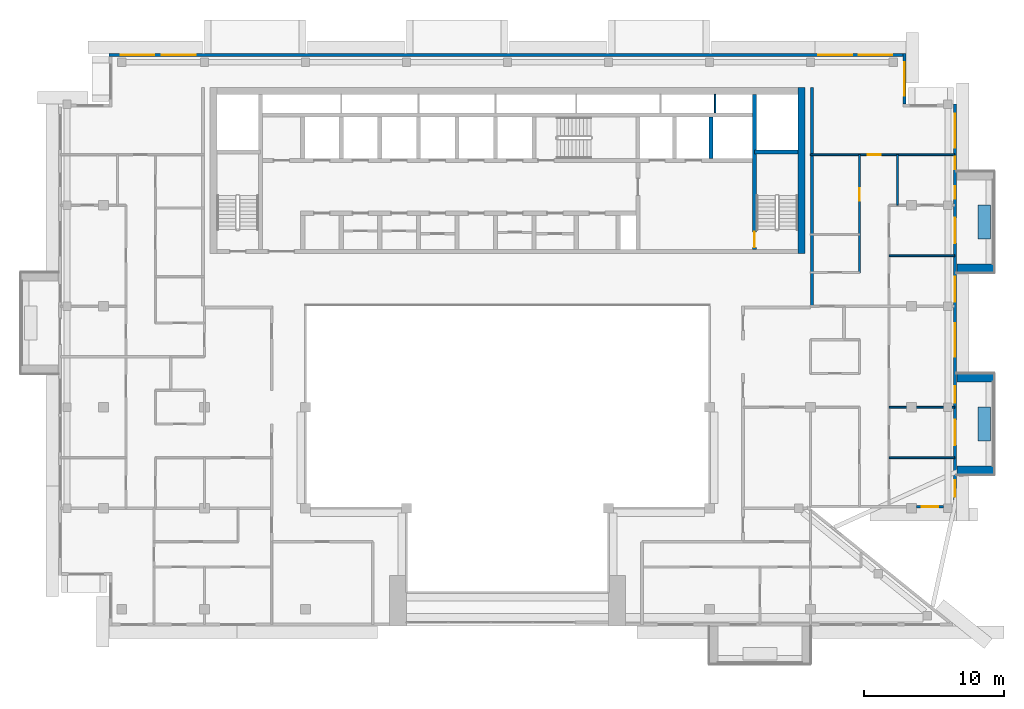
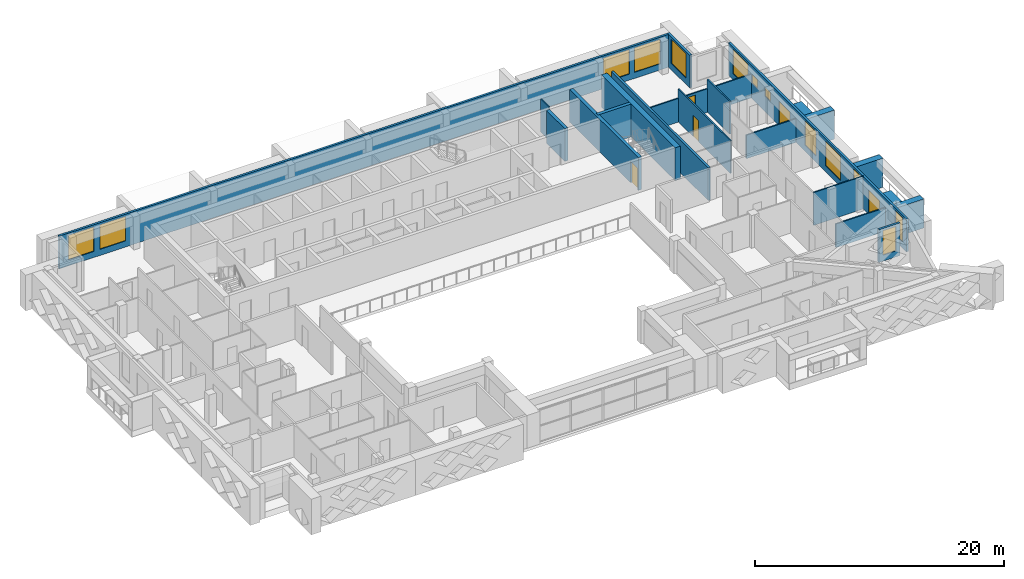
# One storey, part 11 of 19: 21 walls, 13 windows, 5 doors, 18 openings.
"""IFC4 building model written with IfcOpenShell, lengths in metres."""

from ifc_helpers import new_model, si_unit, direction, frame, frame_2d, origin, place, context, subcontext, project, spatial, rectangle, extrude, material, layer, layer_set, type_object, element, fill, save


model = new_model("IFC4")

# Units and contexts
model_context = context("Model", 3, precision=1e-05, world=origin(), true_north=direction((0.0, 1.0)))
body_context = subcontext(model_context, "Body", "Model", "MODEL_VIEW")
ifc_project = project(units=[si_unit("LENGTHUNIT", "METRE"), si_unit("AREAUNIT", "SQUARE_METRE"), si_unit("VOLUMEUNIT", "CUBIC_METRE"), si_unit("PLANEANGLEUNIT", "RADIAN"), si_unit("MASSUNIT", "GRAM", prefix="KILO")], contexts=[model_context])

# Site, building, storey
site_placement = place(None, origin())
site = spatial("IfcSite", under=ifc_project, at=site_placement, CompositionType="ELEMENT")
building_placement = place(site_placement, origin())
building = spatial("IfcBuilding", under=site, at=building_placement, Name="Saffron Iwan Residences", CompositionType="ELEMENT")
storey_placement = place(building_placement, frame((0.0, 0.0, 253.5)))
storey = spatial("IfcBuildingStorey", under=building, at=storey_placement, Name="L68", CompositionType="ELEMENT", Elevation=253.5)

# Walls
ifc_material_1 = material(Name="Concrete C50/60 white painted", Category="concrete")
ifc_layer_1 = layer(ifc_material_1, 0.60009765625)
ifc_layer_set_1 = layer_set([ifc_layer_1], Name="Concrete C50/60 white painted")
wall_type_1 = type_object("IfcWallType", Name="BALCONY FIN 600", PredefinedType="SOLIDWALL", material=ifc_layer_set_1)
for number, where, z_axis, x_axis, name in (
    (1, (82.449951171875, 50.699951171875, 0.0), (0.0, 0.0, 1.0), (1.0, 0.0, 0.0), "Balcony fin L68 F2-0a"),
    (2, (82.449951171875, 57.300048828125, 0.0), (0.0, 0.0, 1.0), (1.0, 0.0, 0.0), "Balcony fin L68 F2-0b"),
    (3, (82.449951171875, 65.10009765625, 0.0), (0.0, 0.0, 1.0), (1.0, 0.0, 0.0), "Balcony fin L68 F2-1a"),
):
    element("IfcWall", number, at=place(storey_placement, frame(where, z_axis=z_axis, x_axis=x_axis)), inside=storey, type_object=wall_type_1, Name=name, PredefinedType="SOLIDWALL", context=body_context, shape_type="SweptSolid", body=[
        extrude(rectangle(XDim=2.650146484375, YDim=0.60009765625, at=frame_2d((1.3251953125, 0.0))), origin(), (0.0, 0.0, 1.0), 2.85009765625),
    ])
ifc_material_2 = material(Name="Concrete C35/45 white painted", Category="concrete")
ifc_layer_2 = layer(ifc_material_2, 0.14990234375)
ifc_layer_set_2 = layer_set([ifc_layer_2], Name="Concrete C35/45 white painted")
wall_type_2 = type_object("IfcWallType", Name="BALCONY PLANTER", PredefinedType="SOLIDWALL", material=ifc_layer_set_2)
wall_1_placement = place(storey_placement, frame((84.375, 52.800048828125, 0.0), z_axis=(0.0, 0.0, 1.0), x_axis=(0.0, 1.0, 0.0)))
element("IfcWall", 4, at=wall_1_placement, inside=storey, type_object=wall_type_2, Name="PLANTER L68 F2-0", PredefinedType="SOLIDWALL", context=body_context, shape_type="SweptSolid", body=[
    extrude(rectangle(XDim=2.39990234375, YDim=0.89990234375, at=frame_2d((1.199951171875, 0.0))), origin(), (0.0, 0.0, 1.0), 0.89990234375),
])
wall_2_placement = place(storey_placement, frame((84.375, 67.199951171875, 0.0), z_axis=(0.0, 0.0, 1.0), x_axis=(0.0, 1.0, 0.0)))
element("IfcWall", 5, at=wall_2_placement, inside=storey, type_object=wall_type_2, Name="PLANTER L68 F2-1", PredefinedType="SOLIDWALL", context=body_context, shape_type="SweptSolid", body=[
    extrude(rectangle(XDim=2.400146484375, YDim=0.89990234375, at=frame_2d((1.2001953125, 0.0))), origin(), (0.0, 0.0, 1.0), 0.89990234375),
])

# Wall, opening, window
ifc_material_3 = material(Name="Concrete C40/50", Category="concrete")
ifc_layer_3 = layer(ifc_material_3, 0.199951171875)
ifc_layer_set_3 = layer_set([ifc_layer_3], Name="Concrete C40/50")
wall_type_3 = type_object("IfcWallType", Name="EXTERNAL WALL 200", PredefinedType="SOLIDWALL", material=ifc_layer_set_3)
wall_3_placement = place(storey_placement, frame((79.550048828125, 48.10009765625, 0.0), z_axis=(0.0, 0.0, 1.0), x_axis=(1.0, 0.0, 0.0)))
wall_3 = element("IfcWall", 6, at=wall_3_placement, inside=storey, type_object=wall_type_3, Name="External wall L68 F1.1", PredefinedType="SOLIDWALL", context=body_context, shape_type="SweptSolid", body=[
    extrude(rectangle(XDim=1.949951171875, YDim=0.199951171875, at=frame_2d((0.97509765625, 0.0))), origin(), (0.0, 0.0, 1.0), 3.219970703125),
])
opening_1_placement = place(wall_3_placement, frame((0.375, 0.0, 0.60009765625)))
opening_1 = element("IfcOpeningElement", 7, at=opening_1_placement, cuts=wall_3, Name="Opening W3", PredefinedType="OPENING", context=body_context, shape_type="SweptSolid", body=[
    extrude(rectangle(XDim=1.199951171875, YDim=2.39990234375, at=frame_2d((0.60009765625, 1.199951171875))), frame((0.0, 0.10986328125, 0.0), z_axis=(0.0, -1.0, 0.0), x_axis=(1.0, 0.0, 0.0)), (0.0, 0.0, 1.0), 0.219970703125),
])
ifc_material_4 = material(Name="Clear glass, laminated double glazed", Category="glass")
window_type_1 = type_object("IfcWindowType", Name="WINDOW 1200 x 2400", PartitioningType="SINGLE_PANEL", PredefinedType="WINDOW", material=ifc_material_4)
window_1_placement = place(opening_1_placement, origin())
window_1 = element("IfcWindow", 8, at=window_1_placement, inside=storey, type_object=window_type_1, Name="Window L68 F1.0", OverallHeight=2.39990234375, OverallWidth=1.199951171875, PartitioningType="SINGLE_PANEL", PredefinedType="WINDOW", context=body_context, shape_type="SweptSolid", body=[
    extrude(rectangle(XDim=1.199951171875, YDim=2.39990234375, at=frame_2d((0.60009765625, 1.199951171875))), frame((0.0, 0.030029296875, 0.0), z_axis=(0.0, -1.0, 0.0), x_axis=(1.0, 0.0, 0.0)), (0.0, 0.0, 1.0), 0.06005859375),
])
fill(opening_1, window_1)

# Wall, openings, doors, windows
wall_4_placement = place(storey_placement, frame((82.300048828125, 48.199951171875, 0.0), z_axis=(0.0, 0.0, 1.0), x_axis=(0.0, 1.0, 0.0)))
wall_4 = element("IfcWall", 9, at=wall_4_placement, inside=storey, type_object=wall_type_3, Name="External wall L68 F2.0", PredefinedType="SOLIDWALL", context=body_context, shape_type="SweptSolid", body=[
    extrude(rectangle(XDim=28.60009765625, YDim=0.199951171875, at=frame_2d((14.300048828125, 0.0))), origin(), (0.0, 0.0, 1.0), 3.219970703125),
])
opening_2_placement = place(wall_4_placement, frame((4.300048828125, 0.0, 0.0)))
opening_2 = element("IfcOpeningElement", 10, at=opening_2_placement, cuts=wall_4, Name="Opening BD1", PredefinedType="OPENING", context=body_context, shape_type="SweptSolid", body=[
    extrude(rectangle(XDim=1.800048828125, YDim=2.39990234375, at=frame_2d((0.89990234375, 1.199951171875))), frame((0.0, 0.10986328125, 0.0), z_axis=(0.0, -1.0, 0.0), x_axis=(1.0, 0.0, 0.0)), (0.0, 0.0, 1.0), 0.219970703125),
])
opening_3_placement = place(wall_4_placement, frame((18.699951171875, 0.0, 0.0)))
opening_3 = element("IfcOpeningElement", 11, at=opening_3_placement, cuts=wall_4, Name="Opening BD1", PredefinedType="OPENING", context=body_context, shape_type="SweptSolid", body=[
    extrude(rectangle(XDim=1.800048828125, YDim=2.39990234375, at=frame_2d((0.89990234375, 1.199951171875))), frame((0.0, 0.10986328125, 0.0), z_axis=(0.0, -1.0, 0.0), x_axis=(1.0, 0.0, 0.0)), (0.0, 0.0, 1.0), 0.219970703125),
])
opening_4_placement = place(wall_4_placement, frame((0.60009765625, 0.0, 0.60009765625)))
opening_4 = element("IfcOpeningElement", 12, at=opening_4_placement, cuts=wall_4, Name="Opening W3", PredefinedType="OPENING", context=body_context, shape_type="SweptSolid", body=[
    extrude(rectangle(XDim=1.199951171875, YDim=2.39990234375, at=frame_2d((0.60009765625, 1.199951171875))), frame((0.0, 0.10986328125, 0.0), z_axis=(0.0, -1.0, 0.0), x_axis=(1.0, 0.0, 0.0)), (0.0, 0.0, 1.0), 0.219970703125),
])
opening_5_placement = place(wall_4_placement, frame((7.300048828125, 0.0, 0.60009765625)))
opening_5 = element("IfcOpeningElement", 13, at=opening_5_placement, cuts=wall_4, Name="Opening W3", PredefinedType="OPENING", context=body_context, shape_type="SweptSolid", body=[
    extrude(rectangle(XDim=1.199951171875, YDim=2.39990234375, at=frame_2d((0.60009765625, 1.199951171875))), frame((0.0, 0.10986328125, 0.0), z_axis=(0.0, -1.0, 0.0), x_axis=(1.0, 0.0, 0.0)), (0.0, 0.0, 1.0), 0.219970703125),
])
opening_6_placement = place(wall_4_placement, frame((10.60009765625, 0.0, 0.60009765625)))
opening_6 = element("IfcOpeningElement", 14, at=opening_6_placement, cuts=wall_4, Name="Opening W1", PredefinedType="OPENING", context=body_context, shape_type="SweptSolid", body=[
    extrude(rectangle(XDim=2.39990234375, YDim=2.39990234375, at=frame_2d((1.199951171875, 1.199951171875))), frame((0.0, 0.10986328125, 0.0), z_axis=(0.0, -1.0, 0.0), x_axis=(1.0, 0.0, 0.0)), (0.0, 0.0, 1.0), 0.219970703125),
])
opening_7_placement = place(wall_4_placement, frame((14.5, 0.0, 0.60009765625)))
opening_7 = element("IfcOpeningElement", 15, at=opening_7_placement, cuts=wall_4, Name="Opening W8", PredefinedType="OPENING", context=body_context, shape_type="SweptSolid", body=[
    extrude(rectangle(XDim=1.800048828125, YDim=2.39990234375, at=frame_2d((0.89990234375, 1.199951171875))), frame((0.0, 0.10986328125, 0.0), z_axis=(0.0, -1.0, 0.0), x_axis=(1.0, 0.0, 0.0)), (0.0, 0.0, 1.0), 0.219970703125),
])
opening_8_placement = place(wall_4_placement, frame((21.85009765625, 0.0, 1.5)))
opening_8 = element("IfcOpeningElement", 16, at=opening_8_placement, cuts=wall_4, Name="Opening W6", PredefinedType="OPENING", context=body_context, shape_type="SweptSolid", body=[
    extrude(rectangle(XDim=0.89990234375, YDim=0.89990234375, at=frame_2d((0.449951171875, 0.449951171875))), frame((0.0, 0.10986328125, 0.0), z_axis=(0.0, -1.0, 0.0), x_axis=(1.0, 0.0, 0.0)), (0.0, 0.0, 1.0), 0.219970703125),
])
opening_9_placement = place(wall_4_placement, frame((23.949951171875, 0.0, 1.5)))
opening_9 = element("IfcOpeningElement", 17, at=opening_9_placement, cuts=wall_4, Name="Opening W6", PredefinedType="OPENING", context=body_context, shape_type="SweptSolid", body=[
    extrude(rectangle(XDim=0.89990234375, YDim=0.89990234375, at=frame_2d((0.449951171875, 0.449951171875))), frame((0.0, 0.10986328125, 0.0), z_axis=(0.0, -1.0, 0.0), x_axis=(1.0, 0.0, 0.0)), (0.0, 0.0, 1.0), 0.219970703125),
])
opening_10_placement = place(wall_4_placement, frame((25.5, 0.0, 0.60009765625)))
opening_10 = element("IfcOpeningElement", 18, at=opening_10_placement, cuts=wall_4, Name="Opening W1", PredefinedType="OPENING", context=body_context, shape_type="SweptSolid", body=[
    extrude(rectangle(XDim=2.39990234375, YDim=2.39990234375, at=frame_2d((1.199951171875, 1.199951171875))), frame((0.0, 0.10986328125, 0.0), z_axis=(0.0, -1.0, 0.0), x_axis=(1.0, 0.0, 0.0)), (0.0, 0.0, 1.0), 0.219970703125),
])
door_type_1 = type_object("IfcDoorType", Name="BALCONY DOOR 1800 x 2400", OperationType="DOUBLE_DOOR_SLIDING", PredefinedType="DOOR", material=ifc_material_4)
door_1_placement = place(opening_2_placement, origin())
door_1 = element("IfcDoor", 19, at=door_1_placement, inside=storey, type_object=door_type_1, Name="Balcony door L68 F2.0", OperationType="DOUBLE_DOOR_SLIDING", OverallHeight=2.39990234375, OverallWidth=1.800048828125, PredefinedType="DOOR", context=body_context, shape_type="SweptSolid", body=[
    extrude(rectangle(XDim=1.800048828125, YDim=2.39990234375, at=frame_2d((0.89990234375, 1.199951171875))), frame((0.0, 0.02490234375, 0.0), z_axis=(0.0, -1.0, 0.0), x_axis=(1.0, 0.0, 0.0)), (0.0, 0.0, 1.0), 0.050048828125),
])
fill(opening_2, door_1)
door_2_placement = place(opening_3_placement, origin())
door_2 = element("IfcDoor", 20, at=door_2_placement, inside=storey, type_object=door_type_1, Name="Balcony door L68 F2.1", OperationType="DOUBLE_DOOR_SLIDING", OverallHeight=2.39990234375, OverallWidth=1.800048828125, PredefinedType="DOOR", context=body_context, shape_type="SweptSolid", body=[
    extrude(rectangle(XDim=1.800048828125, YDim=2.39990234375, at=frame_2d((0.89990234375, 1.199951171875))), frame((0.0, 0.02490234375, 0.0), z_axis=(0.0, -1.0, 0.0), x_axis=(1.0, 0.0, 0.0)), (0.0, 0.0, 1.0), 0.050048828125),
])
fill(opening_3, door_2)
window_2_placement = place(opening_4_placement, origin())
window_2 = element("IfcWindow", 21, at=window_2_placement, inside=storey, type_object=window_type_1, Name="Window L68 F2.2", OverallHeight=2.39990234375, OverallWidth=1.199951171875, PartitioningType="SINGLE_PANEL", PredefinedType="WINDOW", context=body_context, shape_type="SweptSolid", body=[
    extrude(rectangle(XDim=1.199951171875, YDim=2.39990234375, at=frame_2d((0.60009765625, 1.199951171875))), frame((0.0, 0.030029296875, 0.0), z_axis=(0.0, -1.0, 0.0), x_axis=(1.0, 0.0, 0.0)), (0.0, 0.0, 1.0), 0.06005859375),
])
fill(opening_4, window_2)
window_3_placement = place(opening_5_placement, origin())
window_3 = element("IfcWindow", 22, at=window_3_placement, inside=storey, type_object=window_type_1, Name="Window L68 F2.3", OverallHeight=2.39990234375, OverallWidth=1.199951171875, PartitioningType="SINGLE_PANEL", PredefinedType="WINDOW", context=body_context, shape_type="SweptSolid", body=[
    extrude(rectangle(XDim=1.199951171875, YDim=2.39990234375, at=frame_2d((0.60009765625, 1.199951171875))), frame((0.0, 0.030029296875, 0.0), z_axis=(0.0, -1.0, 0.0), x_axis=(1.0, 0.0, 0.0)), (0.0, 0.0, 1.0), 0.06005859375),
])
fill(opening_5, window_3)
window_type_2 = type_object("IfcWindowType", Name="WINDOW 1800 x 2400", PartitioningType="DOUBLE_PANEL_VERTICAL", PredefinedType="WINDOW", material=ifc_material_4)
window_4_placement = place(opening_7_placement, origin())
window_4 = element("IfcWindow", 23, at=window_4_placement, inside=storey, type_object=window_type_2, Name="Window L68 F2.5", OverallHeight=2.39990234375, OverallWidth=1.800048828125, PartitioningType="DOUBLE_PANEL_VERTICAL", PredefinedType="WINDOW", context=body_context, shape_type="SweptSolid", body=[
    extrude(rectangle(XDim=1.800048828125, YDim=2.39990234375, at=frame_2d((0.89990234375, 1.199951171875))), frame((0.0, 0.030029296875, 0.0), z_axis=(0.0, -1.0, 0.0), x_axis=(1.0, 0.0, 0.0)), (0.0, 0.0, 1.0), 0.06005859375),
])
fill(opening_7, window_4)
window_type_3 = type_object("IfcWindowType", Name="WINDOW 2400 x 2400", PartitioningType="DOUBLE_PANEL_VERTICAL", PredefinedType="WINDOW", material=ifc_material_4)
window_5_placement = place(opening_6_placement, origin())
window_5 = element("IfcWindow", 24, at=window_5_placement, inside=storey, type_object=window_type_3, Name="Window L68 F2.4", OverallHeight=2.39990234375, OverallWidth=2.39990234375, PartitioningType="DOUBLE_PANEL_VERTICAL", PredefinedType="WINDOW", context=body_context, shape_type="SweptSolid", body=[
    extrude(rectangle(XDim=2.39990234375, YDim=2.39990234375, at=frame_2d((1.199951171875, 1.199951171875))), frame((0.0, 0.030029296875, 0.0), z_axis=(0.0, -1.0, 0.0), x_axis=(1.0, 0.0, 0.0)), (0.0, 0.0, 1.0), 0.06005859375),
])
fill(opening_6, window_5)
window_6_placement = place(opening_10_placement, origin())
window_6 = element("IfcWindow", 25, at=window_6_placement, inside=storey, type_object=window_type_3, Name="Window L68 F2.8", OverallHeight=2.39990234375, OverallWidth=2.39990234375, PartitioningType="DOUBLE_PANEL_VERTICAL", PredefinedType="WINDOW", context=body_context, shape_type="SweptSolid", body=[
    extrude(rectangle(XDim=2.39990234375, YDim=2.39990234375, at=frame_2d((1.199951171875, 1.199951171875))), frame((0.0, 0.030029296875, 0.0), z_axis=(0.0, -1.0, 0.0), x_axis=(1.0, 0.0, 0.0)), (0.0, 0.0, 1.0), 0.06005859375),
])
fill(opening_10, window_6)
window_type_4 = type_object("IfcWindowType", Name="WINDOW 900 x 900 BATH", PartitioningType="SINGLE_PANEL", PredefinedType="WINDOW", material=ifc_material_4)
window_7_placement = place(opening_8_placement, origin())
window_7 = element("IfcWindow", 26, at=window_7_placement, inside=storey, type_object=window_type_4, Name="Window L68 F2.6", OverallHeight=0.89990234375, OverallWidth=0.89990234375, PartitioningType="SINGLE_PANEL", PredefinedType="WINDOW", context=body_context, shape_type="SweptSolid", body=[
    extrude(rectangle(XDim=0.89990234375, YDim=0.89990234375, at=frame_2d((0.449951171875, 0.449951171875))), frame((0.0, 0.030029296875, 0.0), z_axis=(0.0, -1.0, 0.0), x_axis=(1.0, 0.0, 0.0)), (0.0, 0.0, 1.0), 0.06005859375),
])
fill(opening_8, window_7)
window_8_placement = place(opening_9_placement, origin())
window_8 = element("IfcWindow", 27, at=window_8_placement, inside=storey, type_object=window_type_4, Name="Window L68 F2.7", OverallHeight=0.89990234375, OverallWidth=0.89990234375, PartitioningType="SINGLE_PANEL", PredefinedType="WINDOW", context=body_context, shape_type="SweptSolid", body=[
    extrude(rectangle(XDim=0.89990234375, YDim=0.89990234375, at=frame_2d((0.449951171875, 0.449951171875))), frame((0.0, 0.030029296875, 0.0), z_axis=(0.0, -1.0, 0.0), x_axis=(1.0, 0.0, 0.0)), (0.0, 0.0, 1.0), 0.06005859375),
])
fill(opening_9, window_8)

# Wall, opening, window
wall_5_placement = place(storey_placement, frame((78.699951171875, 76.800048828125, 0.0), z_axis=(0.0, 0.0, 1.0), x_axis=(0.0, 1.0, 0.0)))
wall_5 = element("IfcWall", 28, at=wall_5_placement, inside=storey, type_object=wall_type_3, Name="External wall L68 F4.0", PredefinedType="SOLIDWALL", context=body_context, shape_type="SweptSolid", body=[
    extrude(rectangle(XDim=3.599853515625, YDim=0.199951171875, at=frame_2d((1.7998046875, 0.0))), origin(), (0.0, 0.0, 1.0), 3.219970703125),
])
opening_11_placement = place(wall_5_placement, frame((0.60009765625, 0.0, 0.60009765625)))
opening_11 = element("IfcOpeningElement", 29, at=opening_11_placement, cuts=wall_5, Name="Opening W1", PredefinedType="OPENING", context=body_context, shape_type="SweptSolid", body=[
    extrude(rectangle(XDim=2.39990234375, YDim=2.39990234375, at=frame_2d((1.199951171875, 1.199951171875))), frame((0.0, 0.10986328125, 0.0), z_axis=(0.0, -1.0, 0.0), x_axis=(1.0, 0.0, 0.0)), (0.0, 0.0, 1.0), 0.219970703125),
])
window_9_placement = place(opening_11_placement, origin())
window_9 = element("IfcWindow", 30, at=window_9_placement, inside=storey, type_object=window_type_3, Name="Window L68 F4.0", OverallHeight=2.39990234375, OverallWidth=2.39990234375, PartitioningType="DOUBLE_PANEL_VERTICAL", PredefinedType="WINDOW", context=body_context, shape_type="SweptSolid", body=[
    extrude(rectangle(XDim=2.39990234375, YDim=2.39990234375, at=frame_2d((1.199951171875, 1.199951171875))), frame((0.0, 0.030029296875, 0.0), z_axis=(0.0, -1.0, 0.0), x_axis=(1.0, 0.0, 0.0)), (0.0, 0.0, 1.0), 0.06005859375),
])
fill(opening_11, window_9)

# Wall, openings, windows
wall_6_placement = place(storey_placement, frame((78.60009765625, 80.300048828125, 0.0), z_axis=(0.0, 0.0, 1.0), x_axis=(-1.0, 0.0, 0.0)))
wall_6 = element("IfcWall", 31, at=wall_6_placement, inside=storey, type_object=wall_type_3, Name="External wall L68 F5.0", PredefinedType="SOLIDWALL", context=body_context, shape_type="SweptSolid", body=[
    extrude(rectangle(XDim=56.60009765625, YDim=0.199951171875, at=frame_2d((28.300048828125, 0.0))), origin(), (0.0, 0.0, 1.0), 3.219970703125),
])
opening_12_placement = place(wall_6_placement, frame((50.433349609375, 0.0, 0.60009765625)))
opening_12 = element("IfcOpeningElement", 32, at=opening_12_placement, cuts=wall_6, Name="Opening W1", PredefinedType="OPENING", context=body_context, shape_type="SweptSolid", body=[
    extrude(rectangle(XDim=2.39990234375, YDim=2.39990234375, at=frame_2d((1.199951171875, 1.199951171875))), frame((0.0, 0.10986328125, 0.0), z_axis=(0.0, -1.0, 0.0), x_axis=(1.0, 0.0, 0.0)), (0.0, 0.0, 1.0), 0.219970703125),
])
opening_13_placement = place(wall_6_placement, frame((53.36669921875, 0.0, 0.60009765625)))
opening_13 = element("IfcOpeningElement", 33, at=opening_13_placement, cuts=wall_6, Name="Opening W1", PredefinedType="OPENING", context=body_context, shape_type="SweptSolid", body=[
    extrude(rectangle(XDim=2.39990234375, YDim=2.39990234375, at=frame_2d((1.199951171875, 1.199951171875))), frame((0.0, 0.10986328125, 0.0), z_axis=(0.0, -1.0, 0.0), x_axis=(1.0, 0.0, 0.0)), (0.0, 0.0, 1.0), 0.219970703125),
])
opening_14_placement = place(wall_6_placement, frame((0.7666015625, 0.0, 0.60009765625)))
opening_14 = element("IfcOpeningElement", 34, at=opening_14_placement, cuts=wall_6, Name="Opening W1", PredefinedType="OPENING", context=body_context, shape_type="SweptSolid", body=[
    extrude(rectangle(XDim=2.39990234375, YDim=2.39990234375, at=frame_2d((1.199951171875, 1.199951171875))), frame((0.0, 0.10986328125, 0.0), z_axis=(0.0, -1.0, 0.0), x_axis=(1.0, 0.0, 0.0)), (0.0, 0.0, 1.0), 0.219970703125),
])
opening_15_placement = place(wall_6_placement, frame((3.63330078125, 0.0, 0.60009765625)))
opening_15 = element("IfcOpeningElement", 35, at=opening_15_placement, cuts=wall_6, Name="Opening W1", PredefinedType="OPENING", context=body_context, shape_type="SweptSolid", body=[
    extrude(rectangle(XDim=2.39990234375, YDim=2.39990234375, at=frame_2d((1.199951171875, 1.199951171875))), frame((0.0, 0.10986328125, 0.0), z_axis=(0.0, -1.0, 0.0), x_axis=(1.0, 0.0, 0.0)), (0.0, 0.0, 1.0), 0.219970703125),
])
window_10_placement = place(opening_12_placement, origin())
window_10 = element("IfcWindow", 36, at=window_10_placement, inside=storey, type_object=window_type_3, Name="Window L68 F5.0", OverallHeight=2.39990234375, OverallWidth=2.39990234375, PartitioningType="DOUBLE_PANEL_VERTICAL", PredefinedType="WINDOW", context=body_context, shape_type="SweptSolid", body=[
    extrude(rectangle(XDim=2.39990234375, YDim=2.39990234375, at=frame_2d((1.199951171875, 1.199951171875))), frame((0.0, 0.030029296875, 0.0), z_axis=(0.0, -1.0, 0.0), x_axis=(1.0, 0.0, 0.0)), (0.0, 0.0, 1.0), 0.06005859375),
])
fill(opening_12, window_10)
window_11_placement = place(opening_13_placement, origin())
window_11 = element("IfcWindow", 37, at=window_11_placement, inside=storey, type_object=window_type_3, Name="Window L68 F5.1", OverallHeight=2.39990234375, OverallWidth=2.39990234375, PartitioningType="DOUBLE_PANEL_VERTICAL", PredefinedType="WINDOW", context=body_context, shape_type="SweptSolid", body=[
    extrude(rectangle(XDim=2.39990234375, YDim=2.39990234375, at=frame_2d((1.199951171875, 1.199951171875))), frame((0.0, 0.030029296875, 0.0), z_axis=(0.0, -1.0, 0.0), x_axis=(1.0, 0.0, 0.0)), (0.0, 0.0, 1.0), 0.06005859375),
])
fill(opening_13, window_11)
window_12_placement = place(opening_14_placement, origin())
window_12 = element("IfcWindow", 38, at=window_12_placement, inside=storey, type_object=window_type_3, Name="Window L68 F5.2", OverallHeight=2.39990234375, OverallWidth=2.39990234375, PartitioningType="DOUBLE_PANEL_VERTICAL", PredefinedType="WINDOW", context=body_context, shape_type="SweptSolid", body=[
    extrude(rectangle(XDim=2.39990234375, YDim=2.39990234375, at=frame_2d((1.199951171875, 1.199951171875))), frame((0.0, 0.030029296875, 0.0), z_axis=(0.0, -1.0, 0.0), x_axis=(1.0, 0.0, 0.0)), (0.0, 0.0, 1.0), 0.06005859375),
])
fill(opening_14, window_12)
window_13_placement = place(opening_15_placement, origin())
window_13 = element("IfcWindow", 39, at=window_13_placement, inside=storey, type_object=window_type_3, Name="Window L68 F5.3", OverallHeight=2.39990234375, OverallWidth=2.39990234375, PartitioningType="DOUBLE_PANEL_VERTICAL", PredefinedType="WINDOW", context=body_context, shape_type="SweptSolid", body=[
    extrude(rectangle(XDim=2.39990234375, YDim=2.39990234375, at=frame_2d((1.199951171875, 1.199951171875))), frame((0.0, 0.030029296875, 0.0), z_axis=(0.0, -1.0, 0.0), x_axis=(1.0, 0.0, 0.0)), (0.0, 0.0, 1.0), 0.06005859375),
])
fill(opening_15, window_13)

# Walls
ifc_material_5 = material(Name="Gypsum board partition")
ifc_layer_4 = layer(ifc_material_5, 0.1201171875)
ifc_layer_set_4 = layer_set([ifc_layer_4], Name="Gypsum board partition")
wall_type_4 = type_object("IfcWallType", Name="Flat partition 120", PredefinedType="PARTITIONING", material=ifc_layer_set_4)
wall_7_placement = place(storey_placement, frame((77.60009765625, 51.60009765625, 0.0), z_axis=(0.0, 0.0, 1.0), x_axis=(1.0, 0.0, 0.0)))
element("IfcWall", 40, at=wall_7_placement, inside=storey, type_object=wall_type_4, Name="W-L68-PART-h51.6-77.6", PredefinedType="PARTITIONING", context=body_context, shape_type="SweptSolid", body=[
    extrude(rectangle(XDim=4.6748046875, YDim=0.1201171875, at=frame_2d((2.33740234375, 0.0))), origin(), (0.0, 0.0, 1.0), 2.320068359375),
])
wall_8_placement = place(storey_placement, frame((77.60009765625, 55.199951171875, 0.0), z_axis=(0.0, 0.0, 1.0), x_axis=(1.0, 0.0, 0.0)))
element("IfcWall", 41, at=wall_8_placement, inside=storey, type_object=wall_type_4, Name="W-L68-PART-h55.2-77.6", PredefinedType="PARTITIONING", context=body_context, shape_type="SweptSolid", body=[
    extrude(rectangle(XDim=4.6748046875, YDim=0.1201171875, at=frame_2d((2.33740234375, 0.0))), origin(), (0.0, 0.0, 1.0), 3.219970703125),
])
wall_9_placement = place(storey_placement, frame((77.60009765625, 66.0, 0.0), z_axis=(0.0, 0.0, 1.0), x_axis=(1.0, 0.0, 0.0)))
element("IfcWall", 42, at=wall_9_placement, inside=storey, type_object=wall_type_4, Name="W-L68-PART-h66-77.6", PredefinedType="PARTITIONING", context=body_context, shape_type="SweptSolid", body=[
    extrude(rectangle(XDim=4.6748046875, YDim=0.1201171875, at=frame_2d((2.33740234375, 0.0))), origin(), (0.0, 0.0, 1.0), 2.320068359375),
])

# Wall, opening, door
wall_10_placement = place(storey_placement, frame((72.0, 73.199951171875, 0.0), z_axis=(0.0, 0.0, 1.0), x_axis=(1.0, 0.0, 0.0)))
wall_10 = element("IfcWall", 43, at=wall_10_placement, inside=storey, type_object=wall_type_4, Name="W-L68-PART-h73.2-72", PredefinedType="PARTITIONING", context=body_context, shape_type="SweptSolid", body=[
    extrude(rectangle(XDim=10.27490234375, YDim=0.1201171875, at=frame_2d((5.137451171875, 0.0))), origin(), (0.0, 0.0, 1.0), 2.320068359375),
])
opening_16_placement = place(wall_10_placement, frame((4.10009765625, 0.0, 0.0)))
opening_16 = element("IfcOpeningElement", 44, at=opening_16_placement, cuts=wall_10, Name="Opening FD2", PredefinedType="OPENING", context=body_context, shape_type="SweptSolid", body=[
    extrude(rectangle(XDim=0.89990234375, YDim=2.10009765625, at=frame_2d((0.449951171875, 1.050048828125))), frame((0.0, 0.070068359375, 0.0), z_axis=(0.0, -1.0, 0.0), x_axis=(1.0, 0.0, 0.0)), (0.0, 0.0, 1.0), 0.14013671875),
])
ifc_material_6 = material(Name="Timber door", Category="wood")
door_type_2 = type_object("IfcDoorType", Name="Flat door 900", OperationType="NOTDEFINED", PredefinedType="DOOR", material=ifc_material_6)
door_3_placement = place(opening_16_placement, origin())
door_3 = element("IfcDoor", 45, at=door_3_placement, inside=storey, type_object=door_type_2, Name="Door L68-034", OperationType="SINGLE_SWING_LEFT", OverallHeight=2.10009765625, OverallWidth=0.89990234375, PredefinedType="DOOR", context=body_context, shape_type="SweptSolid", body=[
    extrude(rectangle(XDim=0.89990234375, YDim=2.10009765625, at=frame_2d((0.449951171875, 1.050048828125))), frame((0.0, 0.02490234375, 0.0), z_axis=(0.0, -1.0, 0.0), x_axis=(1.0, 0.0, 0.0)), (0.0, 0.0, 1.0), 0.050048828125),
])
fill(opening_16, door_3)

wall_11_placement = place(storey_placement, frame((75.5, 64.800048828125, 0.0), z_axis=(0.0, 0.0, 1.0), x_axis=(0.0, 1.0, 0.0)))
wall_11 = element("IfcWall", 46, at=wall_11_placement, inside=storey, type_object=wall_type_4, Name="W-L68-PART-v75.5-64.8", PredefinedType="PARTITIONING", context=body_context, shape_type="SweptSolid", body=[
    extrude(rectangle(XDim=8.39990234375, YDim=0.1201171875, at=frame_2d((4.199951171875, 0.0))), origin(), (0.0, 0.0, 1.0), 3.219970703125),
])
opening_17_placement = place(wall_11_placement, frame((5.10009765625, 0.0, 0.0)))
opening_17 = element("IfcOpeningElement", 47, at=opening_17_placement, cuts=wall_11, Name="Opening FD2", PredefinedType="OPENING", context=body_context, shape_type="SweptSolid", body=[
    extrude(rectangle(XDim=0.89990234375, YDim=2.10009765625, at=frame_2d((0.449951171875, 1.050048828125))), frame((0.0, 0.070068359375, 0.0), z_axis=(0.0, -1.0, 0.0), x_axis=(1.0, 0.0, 0.0)), (0.0, 0.0, 1.0), 0.14013671875),
])
door_4_placement = place(opening_17_placement, origin())
door_4 = element("IfcDoor", 48, at=door_4_placement, inside=storey, type_object=door_type_2, Name="Door L68-036", OperationType="SINGLE_SWING_LEFT", OverallHeight=2.10009765625, OverallWidth=0.89990234375, PredefinedType="DOOR", context=body_context, shape_type="SweptSolid", body=[
    extrude(rectangle(XDim=0.89990234375, YDim=2.10009765625, at=frame_2d((0.449951171875, 1.050048828125))), frame((0.0, 0.02490234375, 0.0), z_axis=(0.0, -1.0, 0.0), x_axis=(1.0, 0.0, 0.0)), (0.0, 0.0, 1.0), 0.050048828125),
])
fill(opening_17, door_4)

# Walls
wall_12_placement = place(storey_placement, frame((78.199951171875, 69.60009765625, 0.0), z_axis=(0.0, 0.0, 1.0), x_axis=(0.0, 1.0, 0.0)))
element("IfcWall", 49, at=wall_12_placement, inside=storey, type_object=wall_type_4, Name="W-L68-PART-v78.2-69.6", PredefinedType="PARTITIONING", context=body_context, shape_type="SweptSolid", body=[
    extrude(rectangle(XDim=3.599853515625, YDim=0.1201171875, at=frame_2d((1.7998046875, 0.0))), origin(), (0.0, 0.0, 1.0), 3.219970703125),
])
ifc_material_7 = material(Name="Fire-rated gypsum board wall")
ifc_layer_5 = layer(ifc_material_7, 0.199951171875)
ifc_layer_set_5 = layer_set([ifc_layer_5], Name="Fire-rated gypsum board wall")
wall_type_5 = type_object("IfcWallType", Name="Gallery wall 200", PredefinedType="SOLIDWALL", material=ifc_layer_set_5)
wall_13_placement = place(storey_placement, frame((72.10009765625, 62.39990234375, 0.0), z_axis=(0.0, 0.0, 1.0), x_axis=(0.0, 1.0, 0.0)))
element("IfcWall", 50, at=wall_13_placement, inside=storey, type_object=wall_type_5, Name="W-L68-CORR-v72-62.4", PredefinedType="SOLIDWALL", context=body_context, shape_type="SweptSolid", body=[
    extrude(rectangle(XDim=15.60009765625, YDim=0.199951171875, at=frame_2d((7.800048828125, 0.0))), origin(), (0.0, 0.0, 1.0), 3.219970703125),
])
ifc_material_8 = material(Name="Fire-rated plasterboard partition")
ifc_layer_6 = layer(ifc_material_8, 0.10009765625)
ifc_layer_set_6 = layer_set([ifc_layer_6], Name="Fire-rated plasterboard partition")
wall_type_6 = type_object("IfcWallType", Name="Riser partition 100", PredefinedType="PARTITIONING", material=ifc_layer_set_6)
wall_14_placement = place(storey_placement, frame((65.199951171875, 76.175048828125, 0.0), z_axis=(0.0, 0.0, 1.0), x_axis=(0.0, 1.0, 0.0)))
element("IfcWall", 51, at=wall_14_placement, inside=storey, type_object=wall_type_6, Name="Core partition P11", PredefinedType="PARTITIONING", context=body_context, shape_type="SweptSolid", body=[
    extrude(rectangle(XDim=1.324951171875, YDim=0.10009765625, at=frame_2d((0.66259765625, 0.0))), origin(), (0.0, 0.0, 1.0), 3.219970703125),
])
ifc_layer_7 = layer(ifc_material_3, 0.300048828125)
ifc_layer_set_7 = layer_set([ifc_layer_7], Name="Concrete C40/50")
wall_type_7 = type_object("IfcWallType", Name="WALL CORE 300 C40/50 3220 HIGH", PredefinedType="SHEAR", material=ifc_layer_set_7)
wall_15_placement = place(storey_placement, frame((68.0, 73.39990234375, 0.0), z_axis=(0.0, 0.0, 1.0), x_axis=(1.0, 0.0, 0.0)))
element("IfcWall", 52, at=wall_15_placement, inside=storey, type_object=wall_type_7, Name="Core wall", PredefinedType="SHEAR", context=body_context, shape_type="SweptSolid", body=[
    extrude(rectangle(XDim=3.10009765625, YDim=0.300048828125, at=frame_2d((1.550048828125, 0.0))), origin(), (0.0, 0.0, 1.0), 3.219970703125),
])

# Wall, opening, door
wall_16_placement = place(storey_placement, frame((68.0, 66.449951171875, 0.0), z_axis=(0.0, 0.0, 1.0), x_axis=(0.0, 1.0, 0.0)))
wall_16 = element("IfcWall", 53, at=wall_16_placement, inside=storey, type_object=wall_type_7, Name="Core wall", PredefinedType="SHEAR", context=body_context, shape_type="SweptSolid", body=[
    extrude(rectangle(XDim=11.050048828125, YDim=0.300048828125, at=frame_2d((5.52490234375, 0.0))), origin(), (0.0, 0.0, 1.0), 3.219970703125),
])
opening_18_placement = place(wall_16_placement, frame((0.14990234375, 0.0, 0.0)))
opening_18 = element("IfcOpeningElement", 54, at=opening_18_placement, cuts=wall_16, Name="Opening SD", PredefinedType="OPENING", context=body_context, shape_type="SweptSolid", body=[
    extrude(rectangle(XDim=1.10009765625, YDim=2.10009765625, at=frame_2d((0.550048828125, 1.050048828125))), frame((0.0, 0.16015625, 0.0), z_axis=(0.0, -1.0, 0.0), x_axis=(1.0, 0.0, 0.0)), (0.0, 0.0, 1.0), 0.320068359375),
])
ifc_material_9 = material(Name="Steel fire door", Category="steel")
door_type_3 = type_object("IfcDoorType", Name="Stair door 1100", OperationType="NOTDEFINED", PredefinedType="DOOR", material=ifc_material_9)
door_5_placement = place(opening_18_placement, origin())
door_5 = element("IfcDoor", 55, at=door_5_placement, inside=storey, type_object=door_type_3, Name="Stair door ST-E", OperationType="SINGLE_SWING_RIGHT", OverallHeight=2.10009765625, OverallWidth=1.10009765625, PredefinedType="DOOR", context=body_context, shape_type="SweptSolid", body=[
    extrude(rectangle(XDim=1.10009765625, YDim=2.10009765625, at=frame_2d((0.550048828125, 1.050048828125))), frame((0.0, 0.02490234375, 0.0), z_axis=(0.0, -1.0, 0.0), x_axis=(1.0, 0.0, 0.0)), (0.0, 0.0, 1.0), 0.050048828125),
])
fill(opening_18, door_5)

# Walls
wall_17_placement = place(storey_placement, frame((64.89990234375, 72.925048828125, 0.0), z_axis=(0.0, 0.0, 1.0), x_axis=(0.0, 1.0, 0.0)))
element("IfcWall", 56, at=wall_17_placement, inside=storey, type_object=wall_type_7, Name="Core wall", PredefinedType="SHEAR", context=body_context, shape_type="SweptSolid", body=[
    extrude(rectangle(XDim=2.949951171875, YDim=0.300048828125, at=frame_2d((1.47509765625, 0.0))), origin(), (0.0, 0.0, 1.0), 3.219970703125),
])
ifc_layer_8 = layer(ifc_material_3, 0.5)
ifc_layer_set_8 = layer_set([ifc_layer_8], Name="Concrete C40/50")
wall_type_8 = type_object("IfcWallType", Name="WALL CORE 500 C40/50 3220 HIGH", PredefinedType="SHEAR", material=ifc_layer_set_8)
wall_18_placement = place(storey_placement, frame((71.35009765625, 66.14990234375, 0.0), z_axis=(0.0, 0.0, 1.0), x_axis=(0.0, 1.0, 0.0)))
element("IfcWall", 57, at=wall_18_placement, inside=storey, type_object=wall_type_8, Name="Core wall", PredefinedType="SHEAR", context=body_context, shape_type="SweptSolid", body=[
    extrude(rectangle(XDim=11.85009765625, YDim=0.5, at=frame_2d((5.925048828125, 0.0))), origin(), (0.0, 0.0, 1.0), 3.219970703125),
])

save(model, "model.ifc")
